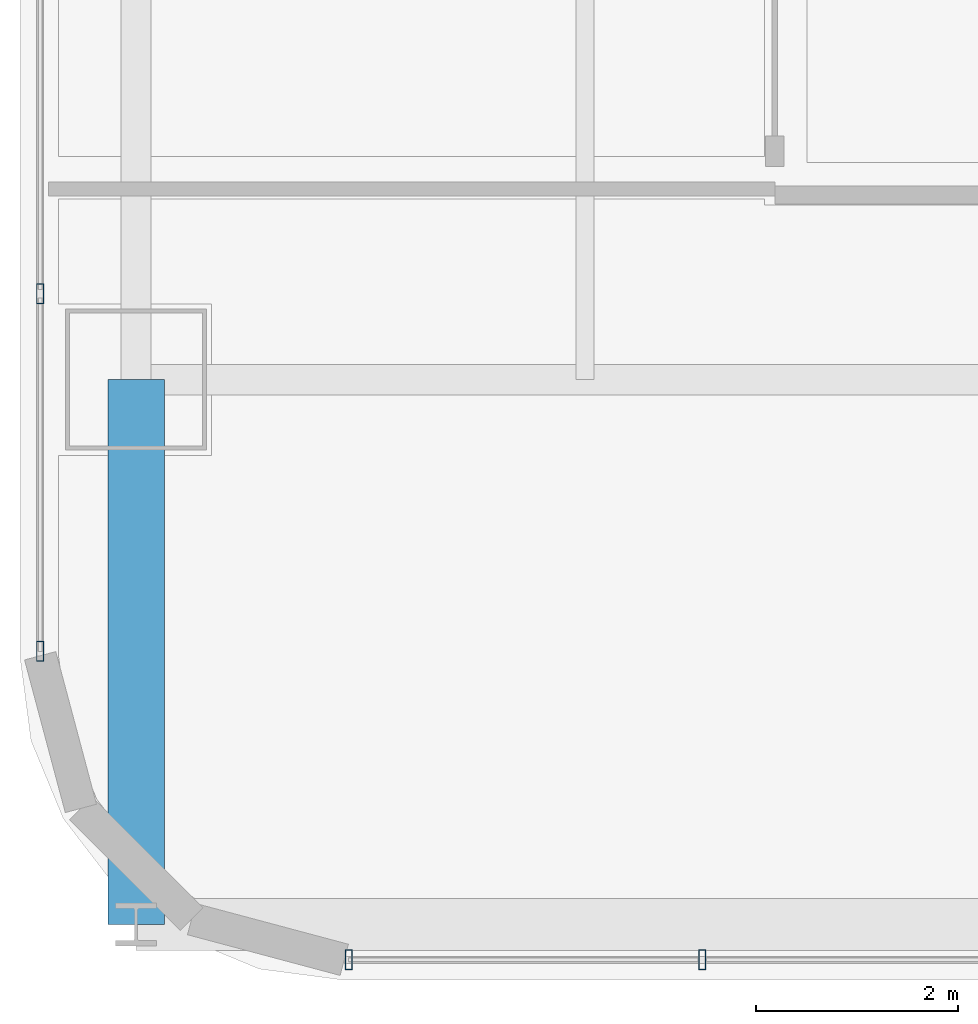
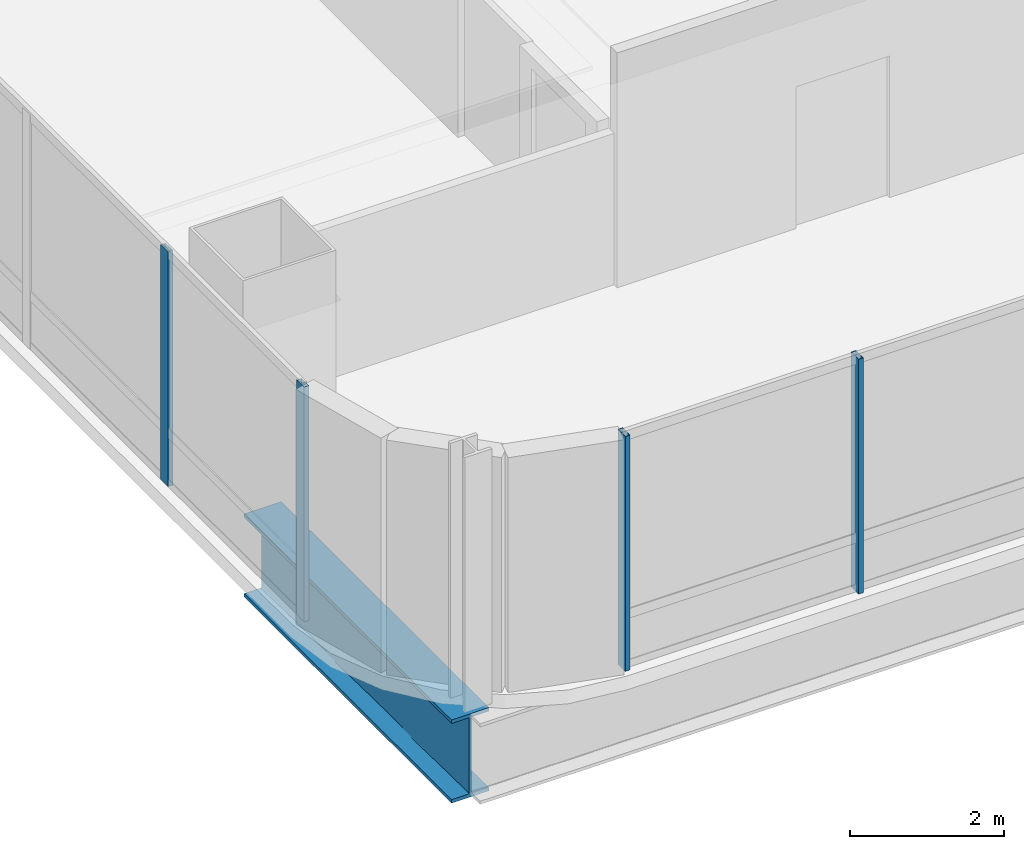
# One storey, part 2 of 35: 4 members, 1 beam, 2 elements without a shape of their own.
"""IFC4 building model written with IfcOpenShell, lengths in metres."""

from ifc_helpers import new_model, si_unit, direction, frame, origin, origin_2d, place, context, subcontext, project, spatial, hollow_rectangle, i_section, extrude, material, material_profile, profile_set, type_object, element, aggregate, save


model = new_model("IFC4")

# Units and contexts
model_context = context("Model", 3, precision=1e-05, world=origin(), true_north=direction((0.0, 1.0)))
body_context = subcontext(model_context, "Body", "Model", "MODEL_VIEW")
ifc_project = project(units=[si_unit("LENGTHUNIT", "METRE"), si_unit("AREAUNIT", "SQUARE_METRE"), si_unit("VOLUMEUNIT", "CUBIC_METRE"), si_unit("PLANEANGLEUNIT", "RADIAN"), si_unit("MASSUNIT", "GRAM", prefix="KILO")], contexts=[model_context])

# Site, building, storey
site_placement = place(None, origin())
site = spatial("IfcSite", under=ifc_project, at=site_placement, CompositionType="ELEMENT")
building_placement = place(site_placement, origin())
building = spatial("IfcBuilding", under=site, at=building_placement, Name="Punatoya Terracotta Tower", CompositionType="ELEMENT")
storey_placement = place(building_placement, frame((0.0, 0.0, 232.949951171875)))
storey = spatial("IfcBuildingStorey", under=building, at=storey_placement, Name="L55", CompositionType="ELEMENT", Elevation=232.949951171875)

# Beam
ifc_material_1 = material(Name="Steel S460", Category="steel")
ifc_material_profile_1 = material_profile(ifc_material_1, i_section(OverallWidth=0.56005859375, OverallDepth=1.320068359375, WebThickness=0.035888671875, FlangeThickness=0.054931640625, FilletRadius=0.01806640625, at=origin_2d()))
ifc_profile_set_1 = profile_set([ifc_material_profile_1], Name="Steel S460")
beam_type = type_object("IfcBeamType", Name="BM-TG-BLK", PredefinedType="BEAM", material=ifc_profile_set_1)
beam_placement = place(storey_placement, frame((-19.10009765625, -22.89990234375, -0.8798828125), z_axis=(0.0, 1.0, 0.0), x_axis=(-1.0, 0.0, 0.0)))
element("IfcBeam", 1, at=beam_placement, inside=storey, type_object=beam_type, Name="BM-L55-CANT-S1", PredefinedType="BEAM", context=body_context, shape_type="SweptSolid", body=[
    extrude(i_section(OverallWidth=0.56005859375, OverallDepth=1.320068359375, WebThickness=0.035888671875, FlangeThickness=0.054931640625, FilletRadius=0.01806640625, at=origin_2d()), origin(), (0.0, 0.0, 1.0), 5.39990234375),
])

# Curtain wall, members
ifc_material_2 = material(Name="Aluminium 6063-T6 + Double Low-E Glass", Category="aluminium")
curtain_wall_type = type_object("IfcCurtainWallType", Name="CW-M2", PredefinedType="NOTDEFINED", material=ifc_material_2)
curtain_wall_1_placement = place(storey_placement, origin())
curtain_wall_1 = element("IfcCurtainWall", 2, at=curtain_wall_1_placement, inside=storey, type_object=curtain_wall_type, Name="L55 Curtain Wall CW-L55-S01-1", PredefinedType="NOTDEFINED")
ifc_material_3 = material(Name="Aluminium 6063-T6", Category="aluminium")
ifc_material_profile_2 = material_profile(ifc_material_3, hollow_rectangle(XDim=0.072021484375, YDim=0.195068359375, WallThickness=0.00439453125, at=origin_2d()))
ifc_profile_set_2 = profile_set([ifc_material_profile_2], Name="Aluminium 6063-T6")
member_type = type_object("IfcMemberType", Name="CW-MUL-M2", PredefinedType="MULLION", material=ifc_profile_set_2)
member_1_placement = place(storey_placement, frame((-16.991943359375, -23.25, 0.0), z_axis=(0.0, 0.0, 1.0), x_axis=(1.0, 0.0, 0.0)))
member_1 = element("IfcMember", 3, at=member_1_placement, type_object=member_type, Name="CW-L55-S01-1 Mullion 00", PredefinedType="MULLION", context=body_context, shape_type="SweptSolid", body=[
    extrude(hollow_rectangle(XDim=0.072021484375, YDim=0.195068359375, WallThickness=0.00439453125, at=origin_2d()), origin(), (0.0, 0.0, 1.0), 3.72998046875),
])
member_2_placement = place(storey_placement, frame((-13.48828125, -23.25, 0.0), z_axis=(0.0, 0.0, 1.0), x_axis=(1.0, 0.0, 0.0)))
member_2 = element("IfcMember", 4, at=member_2_placement, type_object=member_type, Name="CW-L55-S01-1 Mullion 01", PredefinedType="MULLION", context=body_context, shape_type="SweptSolid", body=[
    extrude(hollow_rectangle(XDim=0.072021484375, YDim=0.195068359375, WallThickness=0.00439453125, at=origin_2d()), origin(), (0.0, 0.0, 1.0), 3.72998046875),
])
aggregate(curtain_wall_1, [member_1, member_2])

curtain_wall_2_placement = place(storey_placement, origin())
curtain_wall_2 = element("IfcCurtainWall", 5, at=curtain_wall_2_placement, inside=storey, type_object=curtain_wall_type, Name="L55 Curtain Wall CW-L55-W11-1", PredefinedType="NOTDEFINED")
member_3_placement = place(storey_placement, frame((-20.050048828125, -16.6494140625, 0.0), z_axis=(0.0, 0.0, 1.0), x_axis=(1.0, 0.0, 0.0)))
member_3 = element("IfcMember", 6, at=member_3_placement, type_object=member_type, Name="CW-L55-W11-1 Mullion 08", PredefinedType="MULLION", context=body_context, shape_type="SweptSolid", body=[
    extrude(hollow_rectangle(XDim=0.072021484375, YDim=0.195068359375, WallThickness=0.00439453125, at=origin_2d()), origin(), (0.0, 0.0, 1.0), 3.72998046875),
])
member_4_placement = place(storey_placement, frame((-20.050048828125, -20.19189453125, 0.0), z_axis=(0.0, 0.0, 1.0), x_axis=(1.0, 0.0, 0.0)))
member_4 = element("IfcMember", 7, at=member_4_placement, type_object=member_type, Name="CW-L55-W11-1 Mullion 09", PredefinedType="MULLION", context=body_context, shape_type="SweptSolid", body=[
    extrude(hollow_rectangle(XDim=0.072021484375, YDim=0.195068359375, WallThickness=0.00439453125, at=origin_2d()), origin(), (0.0, 0.0, 1.0), 3.72998046875),
])
aggregate(curtain_wall_2, [member_3, member_4])

save(model, "model.ifc")
